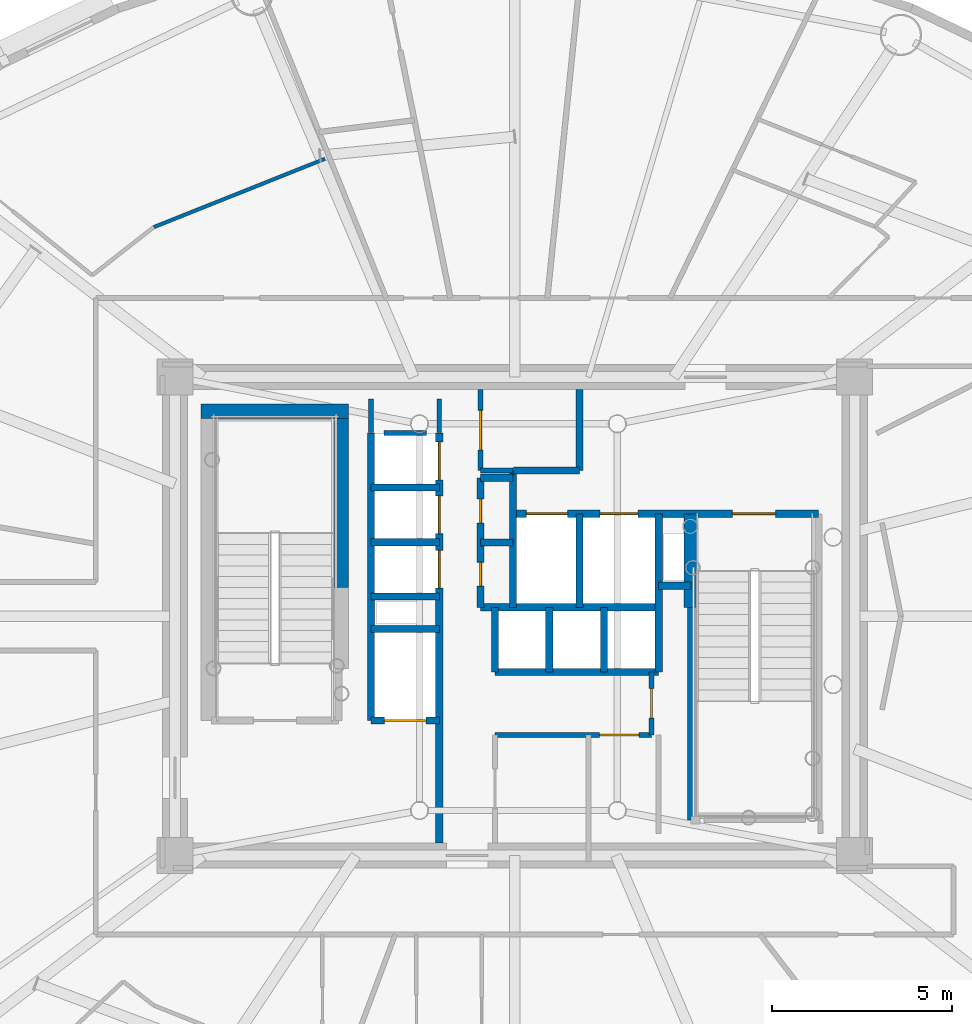
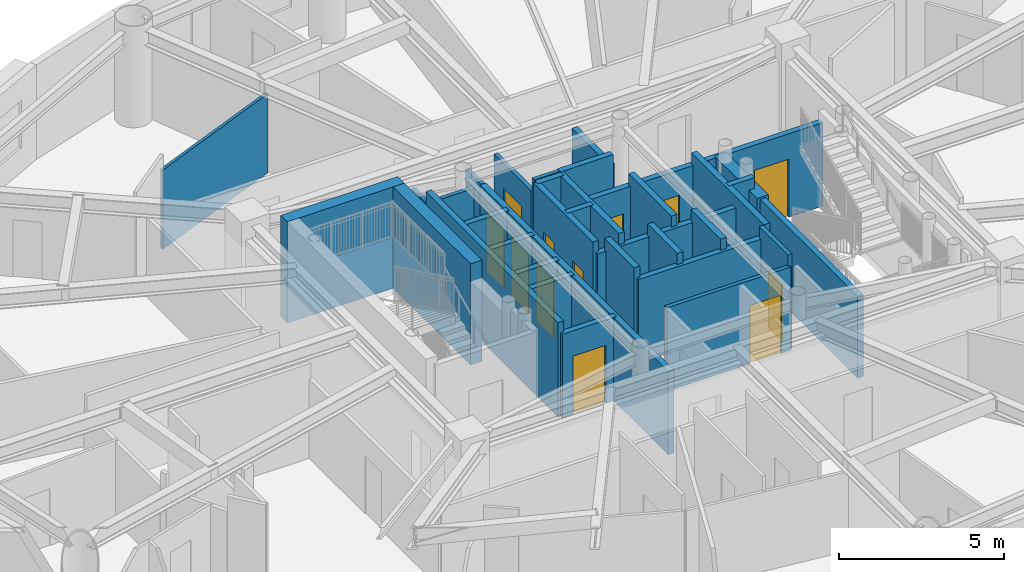
# One storey, part 11 of 21: 34 walls, 12 doors, 12 openings.
"""IFC4 building model written with IfcOpenShell, lengths in metres."""

from ifc_helpers import new_model, si_unit, direction, frame, frame_2d, origin, origin_2d, place, context, subcontext, project, spatial, rectangle, extrude, source, transform, mapped, material, layer, layer_set, type_object, element, fill, save


model = new_model("IFC4")

# Units and contexts
model_context = context("Model", 3, precision=1e-05, world=origin(), true_north=direction((0.0, 1.0)))
body_context = subcontext(model_context, "Body", "Model", "MODEL_VIEW")
ifc_project = project(units=[si_unit("LENGTHUNIT", "METRE"), si_unit("AREAUNIT", "SQUARE_METRE"), si_unit("VOLUMEUNIT", "CUBIC_METRE"), si_unit("PLANEANGLEUNIT", "RADIAN"), si_unit("MASSUNIT", "GRAM", prefix="KILO")], contexts=[model_context])

# Site, building, storey
site_placement = place(None, origin())
site = spatial("IfcSite", under=ifc_project, at=site_placement, CompositionType="ELEMENT")
building_placement = place(site_placement, origin())
building = spatial("IfcBuilding", under=site, at=building_placement, Name="Linh Dai School and Residence Tower", CompositionType="ELEMENT")
storey_placement = place(building_placement, frame((0.0, 0.0, 229.050048828125)))
storey = spatial("IfcBuildingStorey", under=building, at=storey_placement, Name="L56", CompositionType="ELEMENT", Elevation=229.050048828125)

# Wall, opening, door
ifc_material_1 = material(Name="Autoclaved Aerated Concrete Blockwork", Category="masonry")
ifc_layer_1 = layer(ifc_material_1, 0.135009765625)
ifc_layer_set_1 = layer_set([ifc_layer_1], Name="Autoclaved Aerated Concrete Blockwork")
wall_type_1 = type_object("IfcWallType", Name="IW-CORR-135-EI90", PredefinedType="PARTITIONING", material=ifc_layer_set_1)
wall_1_placement = place(storey_placement, frame((35.050048828125, 31.050048828125, 0.0), z_axis=(0.0, 0.0, 1.0), x_axis=(0.0, 1.0, 0.0)))
wall_1 = element("IfcWall", 1, at=wall_1_placement, inside=storey, type_object=wall_type_1, Name="L56 Interior Partition Wall 045", PredefinedType="PARTITIONING", context=body_context, shape_type="SweptSolid", body=[
    extrude(rectangle(XDim=2.25, YDim=0.135009765625, at=frame_2d((1.125, 0.0))), origin(), (0.0, 0.0, 1.0), 3.0849609375),
])
opening_1_placement = place(wall_1_placement, frame((0.574951171875, 0.0, 0.0)))
opening_1 = element("IfcOpeningElement", 2, at=opening_1_placement, cuts=wall_1, Name="Opening D07", PredefinedType="OPENING", context=body_context, shape_type="SweptSolid", body=[
    extrude(rectangle(XDim=1.10009765625, YDim=2.14990234375, at=origin_2d()), frame((0.550048828125, 0.07763671875, 1.074951171875), z_axis=(0.0, -1.0, 0.0), x_axis=(1.0, 0.0, 0.0)), (0.0, 0.0, 1.0), 0.155029296875),
])
ifc_material_2 = material(Name="Fire-Rated Louvred Steel Plant Door", Category="steel")
door_type_1 = type_object("IfcDoorType", Name="DR-PLT-1100x2150-FD60S", OperationType="NOTDEFINED", PredefinedType="DOOR", material=ifc_material_2)
shared_shape_1 = source(origin(), body_context, "Body", "SweptSolid", [
    extrude(rectangle(XDim=1.10009765625, YDim=2.14990234375, at=origin_2d()), frame((0.550048828125, 0.02490234375, 1.074951171875), z_axis=(0.0, -1.0, 0.0), x_axis=(1.0, 0.0, 0.0)), (0.0, 0.0, 1.0), 0.050048828125),
])
door_1_placement = place(opening_1_placement, origin())
door_1 = element("IfcDoor", 3, at=door_1_placement, inside=storey, type_object=door_type_1, Name="L56 North BMS Switchroom Door", OperationType="SINGLE_SWING_LEFT", OverallHeight=2.14990234375, OverallWidth=1.10009765625, PredefinedType="DOOR", context=body_context, shape_type="MappedRepresentation", body=[
    mapped(shared_shape_1, transform((0.0, 0.0, 0.0), x_axis=(1.0, 0.0, 0.0), y_axis=(0.0, 1.0, 0.0), z_axis=(0.0, 0.0, 1.0), scale=1.0)),
])
fill(opening_1, door_1)

# Wall
wall_2_placement = place(storey_placement, frame((35.050048828125, 31.050048828125, 0.0), z_axis=(0.0, 0.0, 1.0), x_axis=(1.0, 0.0, 0.0)))
element("IfcWall", 4, at=wall_2_placement, inside=storey, type_object=wall_type_1, Name="L56 Interior Partition Wall 046", PredefinedType="PARTITIONING", context=body_context, shape_type="SweptSolid", body=[
    extrude(rectangle(XDim=0.89990234375, YDim=0.135009765625, at=frame_2d((0.449951171875, 0.0))), origin(), (0.0, 0.0, 1.0), 3.5),
])

# Wall, opening, door
wall_3_placement = place(storey_placement, frame((35.449951171875, 23.699951171875, 0.0), z_axis=(0.0, 0.0, 1.0), x_axis=(1.0, 0.0, 0.0)))
wall_3 = element("IfcWall", 5, at=wall_3_placement, inside=storey, type_object=wall_type_1, Name="L56 Interior Partition Wall 049", PredefinedType="PARTITIONING", context=body_context, shape_type="SweptSolid", body=[
    extrude(rectangle(XDim=4.35009765625, YDim=0.135009765625, at=frame_2d((2.175048828125, 0.0))), origin(), (0.0, 0.0, 1.0), 3.0849609375),
])
opening_2_placement = place(wall_3_placement, frame((2.905029296875, 0.0, 0.0)))
opening_2 = element("IfcOpeningElement", 6, at=opening_2_placement, cuts=wall_3, Name="Opening D07", PredefinedType="OPENING", context=body_context, shape_type="SweptSolid", body=[
    extrude(rectangle(XDim=1.10009765625, YDim=2.14990234375, at=origin_2d()), frame((0.550048828125, 0.07763671875, 1.074951171875), z_axis=(0.0, -1.0, 0.0), x_axis=(1.0, 0.0, 0.0)), (0.0, 0.0, 1.0), 0.155029296875),
])
door_2_placement = place(opening_2_placement, origin())
door_2 = element("IfcDoor", 7, at=door_2_placement, inside=storey, type_object=door_type_1, Name="L56 Telecom Node Room Door", OperationType="SINGLE_SWING_RIGHT", OverallHeight=2.14990234375, OverallWidth=1.10009765625, PredefinedType="DOOR", context=body_context, shape_type="MappedRepresentation", body=[
    mapped(shared_shape_1, transform((0.0, 0.0, 0.0), x_axis=(1.0, 0.0, 0.0), y_axis=(0.0, 1.0, 0.0), z_axis=(0.0, 0.0, 1.0), scale=1.0)),
])
fill(opening_2, door_2)

wall_4_placement = place(storey_placement, frame((39.800048828125, 23.699951171875, 0.0), z_axis=(0.0, 0.0, 1.0), x_axis=(0.0, 1.0, 0.0)))
wall_4 = element("IfcWall", 8, at=wall_4_placement, inside=storey, type_object=wall_type_1, Name="L56 Interior Partition Wall 063", PredefinedType="PARTITIONING", context=body_context, shape_type="SweptSolid", body=[
    extrude(rectangle(XDim=1.75, YDim=0.135009765625, at=frame_2d((0.875, 0.0))), origin(), (0.0, 0.0, 1.0), 3.5),
])
opening_3_placement = place(wall_4_placement, frame((0.465087890625, 0.0, 0.0)))
opening_3 = element("IfcOpeningElement", 9, at=opening_3_placement, cuts=wall_4, Name="Opening D06", PredefinedType="OPENING", context=body_context, shape_type="SweptSolid", body=[
    extrude(rectangle(XDim=0.820068359375, YDim=2.10009765625, at=origin_2d()), frame((0.41015625, 0.07763671875, 1.050048828125), z_axis=(0.0, -1.0, 0.0), x_axis=(1.0, 0.0, 0.0)), (0.0, 0.0, 1.0), 0.155029296875),
])
ifc_material_3 = material(Name="Moisture-Resistant Timber Bathroom Door", Category="wood")
door_type_2 = type_object("IfcDoorType", Name="DR-WET-820x2100", OperationType="NOTDEFINED", PredefinedType="DOOR", material=ifc_material_3)
shared_shape_2 = source(origin(), body_context, "Body", "SweptSolid", [
    extrude(rectangle(XDim=0.820068359375, YDim=2.10009765625, at=origin_2d()), frame((0.41015625, 0.02490234375, 1.050048828125), z_axis=(0.0, -1.0, 0.0), x_axis=(1.0, 0.0, 0.0)), (0.0, 0.0, 1.0), 0.050048828125),
])
door_3_placement = place(opening_3_placement, origin())
door_3 = element("IfcDoor", 10, at=door_3_placement, inside=storey, type_object=door_type_2, Name="L56 East Linen Store Door", OperationType="SINGLE_SWING_RIGHT", OverallHeight=2.10009765625, OverallWidth=0.820068359375, PredefinedType="DOOR", context=body_context, shape_type="MappedRepresentation", body=[
    mapped(shared_shape_2, transform((0.0, 0.0, 0.0), x_axis=(1.0, 0.0, 0.0), y_axis=(0.0, 1.0, 0.0), z_axis=(0.0, 0.0, 1.0), scale=1.0)),
])
fill(opening_3, door_3)

# Walls
wall_5_placement = place(storey_placement, frame((32.360107421875, 32.10009765625, 0.0), z_axis=(0.0, 0.0, 1.0), x_axis=(1.0, 0.0, 0.0)))
element("IfcWall", 11, at=wall_5_placement, inside=storey, type_object=wall_type_1, Name="L56 Interior Partition Wall 094", PredefinedType="PARTITIONING", context=body_context, shape_type="SweptSolid", body=[
    extrude(rectangle(XDim=1.179931640625, YDim=0.135009765625, at=frame_2d((0.58984375, 0.0))), origin(), (0.0, 0.0, 1.0), 3.0849609375),
])
wall_6_placement = place(storey_placement, frame((32.0, 33.0400390625, 0.0), z_axis=(0.0, 0.0, 1.0), x_axis=(0.0, -1.0, 0.0)))
element("IfcWall", 12, at=wall_6_placement, inside=storey, type_object=wall_type_1, Name="L56 Interior Partition Wall 096", PredefinedType="PARTITIONING", context=body_context, shape_type="SweptSolid", body=[
    extrude(rectangle(XDim=0.929931640625, YDim=0.135009765625, at=frame_2d((0.46484375, 0.0))), origin(), (0.0, 0.0, 1.0), 3.034912109375),
])
wall_7_placement = place(storey_placement, frame((33.89990234375, 32.110107421875, 0.0), z_axis=(0.0, 0.0, 1.0), x_axis=(0.0, 1.0, 0.0)))
element("IfcWall", 13, at=wall_7_placement, inside=storey, type_object=wall_type_1, Name="L56 Interior Partition Wall 098", PredefinedType="PARTITIONING", context=body_context, shape_type="SweptSolid", body=[
    extrude(rectangle(XDim=0.929931640625, YDim=0.135009765625, at=frame_2d((0.46484375, 0.0))), origin(), (0.0, 0.0, 1.0), 3.0849609375),
])
ifc_material_4 = material(Name="Concrete B45 (C35/45)", Category="concrete")
ifc_layer_2 = layer(ifc_material_4, 0.199951171875)
ifc_layer_set_2 = layer_set([ifc_layer_2], Name="Concrete B45 (C35/45)")
wall_type_2 = type_object("IfcWallType", Name="IW-SHAFT-200-EI120", PredefinedType="PARTITIONING", material=ifc_layer_set_2)
wall_8_placement = place(storey_placement, frame((32.0, 24.10009765625, 0.0), z_axis=(0.0, 0.0, 1.0), x_axis=(0.0, 1.0, 0.0)))
element("IfcWall", 14, at=wall_8_placement, inside=storey, type_object=wall_type_2, Name="L56 Interior Partition Wall 032", PredefinedType="PARTITIONING", context=body_context, shape_type="SweptSolid", body=[
    extrude(rectangle(XDim=8.0, YDim=0.199951171875, at=frame_2d((4.0, 0.0))), origin(), (0.0, 0.0, 1.0), 3.5),
])

# Wall, opening, door
wall_9_placement = place(storey_placement, frame((32.0, 24.10009765625, 0.0), z_axis=(0.0, 0.0, 1.0), x_axis=(1.0, 0.0, 0.0)))
wall_9 = element("IfcWall", 15, at=wall_9_placement, inside=storey, type_object=wall_type_2, Name="L56 Interior Partition Wall 033", PredefinedType="PARTITIONING", context=body_context, shape_type="SweptSolid", body=[
    extrude(rectangle(XDim=1.89990234375, YDim=0.199951171875, at=frame_2d((0.949951171875, 0.0))), origin(), (0.0, 0.0, 1.0), 3.0849609375),
])
opening_4_placement = place(wall_9_placement, frame((0.375, 0.0, 0.0)))
opening_4 = element("IfcOpeningElement", 16, at=opening_4_placement, cuts=wall_9, Name="Opening LD-FF2", PredefinedType="OPENING", context=body_context, shape_type="SweptSolid", body=[
    extrude(rectangle(XDim=1.14990234375, YDim=2.14990234375, at=origin_2d()), frame((0.574951171875, 0.10986328125, 1.074951171875), z_axis=(0.0, -1.0, 0.0), x_axis=(1.0, 0.0, 0.0)), (0.0, 0.0, 1.0), 0.219970703125),
])
ifc_material_5 = material(Name="Fire-Rated Stainless Steel Firefighting Lift Door", Category="steel")
door_type_3 = type_object("IfcDoorType", Name="DR-LD-FF-1150x2150-FD120", OperationType="DOUBLE_DOOR_SLIDING", PredefinedType="USERDEFINED", material=ifc_material_5)
shared_shape_3 = source(origin(), body_context, "Body", "SweptSolid", [
    extrude(rectangle(XDim=1.14990234375, YDim=2.14990234375, at=origin_2d()), frame((0.574951171875, 0.02490234375, 1.074951171875), z_axis=(0.0, -1.0, 0.0), x_axis=(1.0, 0.0, 0.0)), (0.0, 0.0, 1.0), 0.050048828125),
])
door_4_placement = place(opening_4_placement, origin())
door_4 = element("IfcDoor", 17, at=door_4_placement, inside=storey, type_object=door_type_3, Name="L56 Lift FF2 Sliding Landing Door", ObjectType="LANDING DOOR", OperationType="DOUBLE_DOOR_SLIDING", OverallHeight=2.14990234375, OverallWidth=1.14990234375, PredefinedType="USERDEFINED", context=body_context, shape_type="MappedRepresentation", body=[
    mapped(shared_shape_3, transform((0.0, 0.0, 0.0), x_axis=(1.0, 0.0, 0.0), y_axis=(0.0, 1.0, 0.0), z_axis=(0.0, 0.0, 1.0), scale=1.0)),
])
fill(opening_4, door_4)

# Walls
for number, where, z_axis, x_axis, name in (
    (18, (32.0, 26.64990234375, 0.0), (0.0, 0.0, 1.0), (1.0, 0.0, 0.0), "L56 Interior Partition Wall 034"),
    (19, (32.0, 27.550048828125, 0.0), (0.0, 0.0, 1.0), (1.0, 0.0, 0.0), "L56 Interior Partition Wall 035"),
    (20, (32.0, 29.06005859375, 0.0), (0.0, 0.0, 1.0), (1.0, 0.0, 0.0), "L56 Interior Partition Wall 036"),
    (21, (32.0, 30.580078125, 0.0), (0.0, 0.0, 1.0), (1.0, 0.0, 0.0), "L56 Interior Partition Wall 037"),
):
    element("IfcWall", number, at=place(storey_placement, frame(where, z_axis=z_axis, x_axis=x_axis)), inside=storey, type_object=wall_type_2, Name=name, PredefinedType="PARTITIONING", context=body_context, shape_type="SweptSolid", body=[
        extrude(rectangle(XDim=1.89990234375, YDim=0.199951171875, at=frame_2d((0.949951171875, 0.0))), origin(), (0.0, 0.0, 1.0), 3.0849609375),
    ])

# Wall, openings, doors
wall_10_placement = place(storey_placement, frame((33.89990234375, 20.699951171875, 0.0), z_axis=(0.0, 0.0, 1.0), x_axis=(0.0, 1.0, 0.0)))
wall_10 = element("IfcWall", 22, at=wall_10_placement, inside=storey, type_object=wall_type_2, Name="L56 Interior Partition Wall 040", PredefinedType="PARTITIONING", context=body_context, shape_type="SweptSolid", body=[
    extrude(rectangle(XDim=11.400146484375, YDim=0.199951171875, at=frame_2d((5.7001953125, 0.0))), origin(), (0.0, 0.0, 1.0), 3.0849609375),
])
opening_5_placement = place(wall_10_placement, frame((7.080078125, 0.0, 0.0)))
opening_5 = element("IfcOpeningElement", 23, at=opening_5_placement, cuts=wall_10, Name="Opening LD-PL4", PredefinedType="OPENING", context=body_context, shape_type="SweptSolid", body=[
    extrude(rectangle(XDim=1.050048828125, YDim=2.14990234375, at=origin_2d()), frame((0.52490234375, 0.10986328125, 1.074951171875), z_axis=(0.0, -1.0, 0.0), x_axis=(1.0, 0.0, 0.0)), (0.0, 0.0, 1.0), 0.219970703125),
])
opening_6_placement = place(wall_10_placement, frame((8.594970703125, 0.0, 0.0)))
opening_6 = element("IfcOpeningElement", 24, at=opening_6_placement, cuts=wall_10, Name="Opening LD-PL5", PredefinedType="OPENING", context=body_context, shape_type="SweptSolid", body=[
    extrude(rectangle(XDim=1.050048828125, YDim=2.14990234375, at=origin_2d()), frame((0.52490234375, 0.10986328125, 1.074951171875), z_axis=(0.0, -1.0, 0.0), x_axis=(1.0, 0.0, 0.0)), (0.0, 0.0, 1.0), 0.219970703125),
])
opening_7_placement = place(wall_10_placement, frame((10.094970703125, 0.0, 0.0)))
opening_7 = element("IfcOpeningElement", 25, at=opening_7_placement, cuts=wall_10, Name="Opening LD-PL6", PredefinedType="OPENING", context=body_context, shape_type="SweptSolid", body=[
    extrude(rectangle(XDim=1.050048828125, YDim=2.14990234375, at=origin_2d()), frame((0.52490234375, 0.10986328125, 1.074951171875), z_axis=(0.0, -1.0, 0.0), x_axis=(1.0, 0.0, 0.0)), (0.0, 0.0, 1.0), 0.219970703125),
])
ifc_material_6 = material(Name="Brushed Stainless Steel Lift Landing Door", Category="steel")
door_type_4 = type_object("IfcDoorType", Name="DR-LD-PASS-1050x2150", OperationType="DOUBLE_DOOR_SLIDING", PredefinedType="USERDEFINED", material=ifc_material_6)
shared_shape_4 = source(origin(), body_context, "Body", "SweptSolid", [
    extrude(rectangle(XDim=1.050048828125, YDim=2.14990234375, at=origin_2d()), frame((0.52490234375, 0.02490234375, 1.074951171875), z_axis=(0.0, -1.0, 0.0), x_axis=(1.0, 0.0, 0.0)), (0.0, 0.0, 1.0), 0.050048828125),
])
door_5_placement = place(opening_5_placement, origin())
door_5 = element("IfcDoor", 26, at=door_5_placement, inside=storey, type_object=door_type_4, Name="L56 Lift PL4 Sliding Landing Door", ObjectType="LANDING DOOR", OperationType="DOUBLE_DOOR_SLIDING", OverallHeight=2.14990234375, OverallWidth=1.050048828125, PredefinedType="USERDEFINED", context=body_context, shape_type="MappedRepresentation", body=[
    mapped(shared_shape_4, transform((0.0, 0.0, 0.0), x_axis=(1.0, 0.0, 0.0), y_axis=(0.0, 1.0, 0.0), z_axis=(0.0, 0.0, 1.0), scale=1.0)),
])
fill(opening_5, door_5)
door_6_placement = place(opening_6_placement, origin())
door_6 = element("IfcDoor", 27, at=door_6_placement, inside=storey, type_object=door_type_4, Name="L56 Lift PL5 Sliding Landing Door", ObjectType="LANDING DOOR", OperationType="DOUBLE_DOOR_SLIDING", OverallHeight=2.14990234375, OverallWidth=1.050048828125, PredefinedType="USERDEFINED", context=body_context, shape_type="MappedRepresentation", body=[
    mapped(shared_shape_4, transform((0.0, 0.0, 0.0), x_axis=(1.0, 0.0, 0.0), y_axis=(0.0, 1.0, 0.0), z_axis=(0.0, 0.0, 1.0), scale=1.0)),
])
fill(opening_6, door_6)
door_7_placement = place(opening_7_placement, origin())
door_7 = element("IfcDoor", 28, at=door_7_placement, inside=storey, type_object=door_type_4, Name="L56 Lift PL6 Sliding Landing Door", ObjectType="LANDING DOOR", OperationType="DOUBLE_DOOR_SLIDING", OverallHeight=2.14990234375, OverallWidth=1.050048828125, PredefinedType="USERDEFINED", context=body_context, shape_type="MappedRepresentation", body=[
    mapped(shared_shape_4, transform((0.0, 0.0, 0.0), x_axis=(1.0, 0.0, 0.0), y_axis=(0.0, 1.0, 0.0), z_axis=(0.0, 0.0, 1.0), scale=1.0)),
])
fill(opening_7, door_7)

wall_11_placement = place(storey_placement, frame((35.050048828125, 27.25, 0.0), z_axis=(0.0, 0.0, 1.0), x_axis=(0.0, 1.0, 0.0)))
wall_11 = element("IfcWall", 29, at=wall_11_placement, inside=storey, type_object=wall_type_2, Name="L56 Interior Partition Wall 041", PredefinedType="PARTITIONING", context=body_context, shape_type="SweptSolid", body=[
    extrude(rectangle(XDim=3.60009765625, YDim=0.199951171875, at=frame_2d((1.800048828125, 0.0))), origin(), (0.0, 0.0, 1.0), 3.5),
])
opening_8_placement = place(wall_11_placement, frame((0.590087890625, 0.0, 0.0)))
opening_8 = element("IfcOpeningElement", 30, at=opening_8_placement, cuts=wall_11, Name="Opening AD1", PredefinedType="OPENING", context=body_context, shape_type="SweptSolid", body=[
    extrude(rectangle(XDim=0.659912109375, YDim=2.050048828125, at=origin_2d()), frame((0.330078125, 0.10986328125, 1.02490234375), z_axis=(0.0, -1.0, 0.0), x_axis=(1.0, 0.0, 0.0)), (0.0, 0.0, 1.0), 0.219970703125),
])
opening_9_placement = place(wall_11_placement, frame((2.35009765625, 0.0, 0.0)))
opening_9 = element("IfcOpeningElement", 31, at=opening_9_placement, cuts=wall_11, Name="Opening AD1", PredefinedType="OPENING", context=body_context, shape_type="SweptSolid", body=[
    extrude(rectangle(XDim=0.659912109375, YDim=2.050048828125, at=origin_2d()), frame((0.330078125, 0.10986328125, 1.02490234375), z_axis=(0.0, -1.0, 0.0), x_axis=(1.0, 0.0, 0.0)), (0.0, 0.0, 1.0), 0.219970703125),
])
ifc_material_7 = material(Name="Fire-Rated Steel Riser Access Door", Category="steel")
door_type_5 = type_object("IfcDoorType", Name="DR-ACC-660x2050-FD90S", OperationType="NOTDEFINED", PredefinedType="USERDEFINED", material=ifc_material_7)
shared_shape_5 = source(origin(), body_context, "Body", "SweptSolid", [
    extrude(rectangle(XDim=0.659912109375, YDim=2.050048828125, at=origin_2d()), frame((0.330078125, 0.02490234375, 1.02490234375), z_axis=(0.0, -1.0, 0.0), x_axis=(1.0, 0.0, 0.0)), (0.0, 0.0, 1.0), 0.050048828125),
])
door_8_placement = place(opening_8_placement, origin())
door_8 = element("IfcDoor", 32, at=door_8_placement, inside=storey, type_object=door_type_5, Name="L56 Telecom and Data Riser Access Door", ObjectType="ACCESS DOOR", OperationType="SINGLE_SWING_LEFT", OverallHeight=2.050048828125, OverallWidth=0.659912109375, PredefinedType="USERDEFINED", context=body_context, shape_type="MappedRepresentation", body=[
    mapped(shared_shape_5, transform((0.0, 0.0, 0.0), x_axis=(1.0, 0.0, 0.0), y_axis=(0.0, 1.0, 0.0), z_axis=(0.0, 0.0, 1.0), scale=1.0)),
])
fill(opening_8, door_8)
door_9_placement = place(opening_9_placement, origin())
door_9 = element("IfcDoor", 33, at=door_9_placement, inside=storey, type_object=door_type_5, Name="L56 Mechanical and Plumbing Riser Access Door", ObjectType="ACCESS DOOR", OperationType="SINGLE_SWING_RIGHT", OverallHeight=2.050048828125, OverallWidth=0.659912109375, PredefinedType="USERDEFINED", context=body_context, shape_type="MappedRepresentation", body=[
    mapped(shared_shape_5, transform((0.0, 0.0, 0.0), x_axis=(1.0, 0.0, 0.0), y_axis=(0.0, 1.0, 0.0), z_axis=(0.0, 0.0, 1.0), scale=1.0)),
])
fill(opening_9, door_9)

# Walls
wall_12_placement = place(storey_placement, frame((35.050048828125, 27.25, 0.0), z_axis=(0.0, 0.0, 1.0), x_axis=(1.0, 0.0, 0.0)))
element("IfcWall", 34, at=wall_12_placement, inside=storey, type_object=wall_type_2, Name="L56 Interior Partition Wall 042", PredefinedType="PARTITIONING", context=body_context, shape_type="SweptSolid", body=[
    extrude(rectangle(XDim=4.949951171875, YDim=0.199951171875, at=frame_2d((2.47509765625, 0.0))), origin(), (0.0, 0.0, 1.0), 3.0849609375),
])
for number, where, z_axis, x_axis, name in (
    (35, (35.050048828125, 29.050048828125, 0.0), (0.0, 0.0, 1.0), (1.0, 0.0, 0.0), "L56 Interior Partition Wall 043"),
    (36, (35.050048828125, 30.85009765625, 0.0), (0.0, 0.0, 1.0), (1.0, 0.0, 0.0), "L56 Interior Partition Wall 044"),
):
    element("IfcWall", number, at=place(storey_placement, frame(where, z_axis=z_axis, x_axis=x_axis)), inside=storey, type_object=wall_type_2, Name=name, PredefinedType="PARTITIONING", context=body_context, shape_type="SweptSolid", body=[
        extrude(rectangle(XDim=0.89990234375, YDim=0.199951171875, at=frame_2d((0.449951171875, 0.0))), origin(), (0.0, 0.0, 1.0), 3.5),
    ])
wall_13_placement = place(storey_placement, frame((35.449951171875, 25.449951171875, 0.0), z_axis=(0.0, 0.0, 1.0), x_axis=(0.0, 1.0, 0.0)))
element("IfcWall", 37, at=wall_13_placement, inside=storey, type_object=wall_type_2, Name="L56 Interior Partition Wall 050", PredefinedType="PARTITIONING", context=body_context, shape_type="SweptSolid", body=[
    extrude(rectangle(XDim=1.800048828125, YDim=0.199951171875, at=frame_2d((0.89990234375, 0.0))), origin(), (0.0, 0.0, 1.0), 3.5),
])
wall_14_placement = place(storey_placement, frame((35.449951171875, 25.449951171875, 0.0), z_axis=(0.0, 0.0, 1.0), x_axis=(1.0, 0.0, 0.0)))
element("IfcWall", 38, at=wall_14_placement, inside=storey, type_object=wall_type_2, Name="L56 Interior Partition Wall 051", PredefinedType="PARTITIONING", context=body_context, shape_type="SweptSolid", body=[
    extrude(rectangle(XDim=4.550048828125, YDim=0.199951171875, at=frame_2d((2.27490234375, 0.0))), origin(), (0.0, 0.0, 1.0), 3.0849609375),
])
wall_15_placement = place(storey_placement, frame((35.949951171875, 27.25, 0.0), z_axis=(0.0, 0.0, 1.0), x_axis=(0.0, 1.0, 0.0)))
element("IfcWall", 39, at=wall_15_placement, inside=storey, type_object=wall_type_2, Name="L56 Interior Partition Wall 052", PredefinedType="PARTITIONING", context=body_context, shape_type="SweptSolid", body=[
    extrude(rectangle(XDim=3.800048828125, YDim=0.199951171875, at=frame_2d((1.89990234375, 0.0))), origin(), (0.0, 0.0, 1.0), 3.5),
])

# Wall, openings, doors
wall_16_placement = place(storey_placement, frame((35.949951171875, 29.85009765625, 0.0), z_axis=(0.0, 0.0, 1.0), x_axis=(1.0, 0.0, 0.0)))
wall_16 = element("IfcWall", 40, at=wall_16_placement, inside=storey, type_object=wall_type_2, Name="L56 Interior Partition Wall 053", PredefinedType="PARTITIONING", context=body_context, shape_type="SweptSolid", body=[
    extrude(rectangle(XDim=8.489990234375, YDim=0.199951171875, at=frame_2d((4.2451171875, 0.0))), origin(), (0.0, 0.0, 1.0), 3.0849609375),
])
opening_10_placement = place(wall_16_placement, frame((6.10009765625, 0.0, 0.0)))
opening_10 = element("IfcOpeningElement", 41, at=opening_10_placement, cuts=wall_16, Name="Opening D01", PredefinedType="OPENING", context=body_context, shape_type="SweptSolid", body=[
    extrude(rectangle(XDim=1.199951171875, YDim=2.14990234375, at=origin_2d()), frame((0.60009765625, 0.10986328125, 1.074951171875), z_axis=(0.0, -1.0, 0.0), x_axis=(1.0, 0.0, 0.0)), (0.0, 0.0, 1.0), 0.219970703125),
])
opening_11_placement = place(wall_16_placement, frame((0.3701171875, 0.0, 0.0)))
opening_11 = element("IfcOpeningElement", 42, at=opening_11_placement, cuts=wall_16, Name="Opening LD-FF1", PredefinedType="OPENING", context=body_context, shape_type="SweptSolid", body=[
    extrude(rectangle(XDim=1.14990234375, YDim=2.14990234375, at=origin_2d()), frame((0.574951171875, 0.10986328125, 1.074951171875), z_axis=(0.0, -1.0, 0.0), x_axis=(1.0, 0.0, 0.0)), (0.0, 0.0, 1.0), 0.219970703125),
])
opening_12_placement = place(wall_16_placement, frame((2.425048828125, 0.0, 0.0)))
opening_12 = element("IfcOpeningElement", 43, at=opening_12_placement, cuts=wall_16, Name="Opening LD-SV1", PredefinedType="OPENING", context=body_context, shape_type="SweptSolid", body=[
    extrude(rectangle(XDim=1.050048828125, YDim=2.14990234375, at=origin_2d()), frame((0.52490234375, 0.10986328125, 1.074951171875), z_axis=(0.0, -1.0, 0.0), x_axis=(1.0, 0.0, 0.0)), (0.0, 0.0, 1.0), 0.219970703125),
])
ifc_material_8 = material(Name="Fire-Rated Steel Door Leaf", Category="steel")
door_type_6 = type_object("IfcDoorType", Name="DR-STAIR-1200x2150-FD90S", OperationType="NOTDEFINED", PredefinedType="DOOR", material=ifc_material_8)
shared_shape_6 = source(origin(), body_context, "Body", "SweptSolid", [
    extrude(rectangle(XDim=1.199951171875, YDim=2.14990234375, at=origin_2d()), frame((0.60009765625, 0.02490234375, 1.074951171875), z_axis=(0.0, -1.0, 0.0), x_axis=(1.0, 0.0, 0.0)), (0.0, 0.0, 1.0), 0.050048828125),
])
door_10_placement = place(opening_10_placement, origin())
door_10 = element("IfcDoor", 44, at=door_10_placement, inside=storey, type_object=door_type_6, Name="L56 Core Smokeproof Exit Stair ST2 Door", OperationType="SINGLE_SWING_RIGHT", OverallHeight=2.14990234375, OverallWidth=1.199951171875, PredefinedType="DOOR", context=body_context, shape_type="MappedRepresentation", body=[
    mapped(shared_shape_6, transform((0.0, 0.0, 0.0), x_axis=(1.0, 0.0, 0.0), y_axis=(0.0, 1.0, 0.0), z_axis=(0.0, 0.0, 1.0), scale=1.0)),
])
fill(opening_10, door_10)
door_11_placement = place(opening_11_placement, origin())
door_11 = element("IfcDoor", 45, at=door_11_placement, inside=storey, type_object=door_type_3, Name="L56 Lift FF1 Sliding Landing Door", ObjectType="LANDING DOOR", OperationType="DOUBLE_DOOR_SLIDING", OverallHeight=2.14990234375, OverallWidth=1.14990234375, PredefinedType="USERDEFINED", context=body_context, shape_type="MappedRepresentation", body=[
    mapped(shared_shape_3, transform((0.0, 0.0, 0.0), x_axis=(1.0, 0.0, 0.0), y_axis=(0.0, 1.0, 0.0), z_axis=(0.0, 0.0, 1.0), scale=1.0)),
])
fill(opening_11, door_11)
door_12_placement = place(opening_12_placement, origin())
door_12 = element("IfcDoor", 46, at=door_12_placement, inside=storey, type_object=door_type_4, Name="L56 Lift SV1 Sliding Landing Door", ObjectType="LANDING DOOR", OperationType="DOUBLE_DOOR_SLIDING", OverallHeight=2.14990234375, OverallWidth=1.050048828125, PredefinedType="USERDEFINED", context=body_context, shape_type="MappedRepresentation", body=[
    mapped(shared_shape_4, transform((0.0, 0.0, 0.0), x_axis=(1.0, 0.0, 0.0), y_axis=(0.0, 1.0, 0.0), z_axis=(0.0, 0.0, 1.0), scale=1.0)),
])
fill(opening_12, door_12)

# Walls
wall_17_placement = place(storey_placement, frame((35.9599609375, 31.050048828125, 0.0), z_axis=(0.0, 0.0, 1.0), x_axis=(1.0, 0.0, 0.0)))
element("IfcWall", 47, at=wall_17_placement, inside=storey, type_object=wall_type_2, Name="L56 Interior Partition Wall 054", PredefinedType="PARTITIONING", context=body_context, shape_type="SweptSolid", body=[
    extrude(rectangle(XDim=1.840087890625, YDim=0.199951171875, at=frame_2d((0.919921875, 0.0))), origin(), (0.0, 0.0, 1.0), 3.5),
])
wall_18_placement = place(storey_placement, frame((36.9599609375, 25.449951171875, 0.0), z_axis=(0.0, 0.0, 1.0), x_axis=(0.0, 1.0, 0.0)))
element("IfcWall", 48, at=wall_18_placement, inside=storey, type_object=wall_type_2, Name="L56 Interior Partition Wall 057", PredefinedType="PARTITIONING", context=body_context, shape_type="SweptSolid", body=[
    extrude(rectangle(XDim=1.800048828125, YDim=0.199951171875, at=frame_2d((0.89990234375, 0.0))), origin(), (0.0, 0.0, 1.0), 3.5),
])
wall_19_placement = place(storey_placement, frame((37.800048828125, 27.25, 0.0), z_axis=(0.0, 0.0, 1.0), x_axis=(0.0, 1.0, 0.0)))
element("IfcWall", 49, at=wall_19_placement, inside=storey, type_object=wall_type_2, Name="L56 Interior Partition Wall 058", PredefinedType="PARTITIONING", context=body_context, shape_type="SweptSolid", body=[
    extrude(rectangle(XDim=2.60009765625, YDim=0.199951171875, at=frame_2d((1.300048828125, 0.0))), origin(), (0.0, 0.0, 1.0), 3.5),
])
wall_20_placement = place(storey_placement, frame((37.800048828125, 31.050048828125, 0.0), z_axis=(0.0, 0.0, 1.0), x_axis=(0.0, 1.0, 0.0)))
element("IfcWall", 50, at=wall_20_placement, inside=storey, type_object=wall_type_2, Name="L56 Interior Partition Wall 059", PredefinedType="PARTITIONING", context=body_context, shape_type="SweptSolid", body=[
    extrude(rectangle(XDim=2.25, YDim=0.199951171875, at=frame_2d((1.125, 0.0))), origin(), (0.0, 0.0, 1.0), 3.0849609375),
])
wall_21_placement = place(storey_placement, frame((38.47998046875, 25.449951171875, 0.0), z_axis=(0.0, 0.0, 1.0), x_axis=(0.0, 1.0, 0.0)))
element("IfcWall", 51, at=wall_21_placement, inside=storey, type_object=wall_type_2, Name="L56 Interior Partition Wall 062", PredefinedType="PARTITIONING", context=body_context, shape_type="SweptSolid", body=[
    extrude(rectangle(XDim=1.800048828125, YDim=0.199951171875, at=frame_2d((0.89990234375, 0.0))), origin(), (0.0, 0.0, 1.0), 3.5),
])
wall_22_placement = place(storey_placement, frame((40.0, 25.449951171875, 0.0), z_axis=(0.0, 0.0, 1.0), x_axis=(0.0, 1.0, 0.0)))
element("IfcWall", 52, at=wall_22_placement, inside=storey, type_object=wall_type_2, Name="L56 Interior Partition Wall 064", PredefinedType="PARTITIONING", context=body_context, shape_type="SweptSolid", body=[
    extrude(rectangle(XDim=4.400146484375, YDim=0.199951171875, at=frame_2d((2.2001953125, 0.0))), origin(), (0.0, 0.0, 1.0), 3.5),
])
wall_23_placement = place(storey_placement, frame((40.0, 27.85009765625, 0.0), z_axis=(0.0, 0.0, 1.0), x_axis=(1.0, 0.0, 0.0)))
element("IfcWall", 53, at=wall_23_placement, inside=storey, type_object=wall_type_2, Name="L56 Interior Partition Wall 065", PredefinedType="PARTITIONING", context=body_context, shape_type="SweptSolid", body=[
    extrude(rectangle(XDim=0.89990234375, YDim=0.199951171875, at=frame_2d((0.449951171875, 0.0))), origin(), (0.0, 0.0, 1.0), 3.5),
])
wall_24_placement = place(storey_placement, frame((40.89990234375, 21.330078125, 0.0), z_axis=(0.0, 0.0, 1.0), x_axis=(0.0, 1.0, 0.0)))
element("IfcWall", 54, at=wall_24_placement, inside=storey, type_object=wall_type_2, Name="L56 Interior Partition Wall 067", PredefinedType="PARTITIONING", context=body_context, shape_type="SweptSolid", body=[
    extrude(rectangle(XDim=5.909912109375, YDim=0.199951171875, at=frame_2d((2.955078125, 0.0))), origin(), (0.0, 0.0, 1.0), 3.034912109375),
])
ifc_material_9 = material(Name="Gypsum Plasterboard Acoustic Stud Partition", Category="masonry")
ifc_layer_3 = layer(ifc_material_9, 0.10009765625)
ifc_layer_set_3 = layer_set([ifc_layer_3], Name="Gypsum Plasterboard Acoustic Stud Partition")
wall_type_3 = type_object("IfcWallType", Name="IW-UNIT-100", PredefinedType="PARTITIONING", material=ifc_layer_set_3)
wall_25_placement = place(storey_placement, frame((25.960693359375, 37.8193359375, 0.0), z_axis=(0.0, 0.0, 1.0), x_axis=(0.928801505367, 0.370577608105, 0.0)))
element("IfcWall", 55, at=wall_25_placement, inside=storey, type_object=wall_type_3, Name="L56 Interior Partition Wall 024", PredefinedType="PARTITIONING", context=body_context, shape_type="SweptSolid", body=[
    extrude(rectangle(XDim=5.126220703125, YDim=0.10009765625, at=frame_2d((2.56298828125, 0.0))), origin(), (0.0, 0.0, 1.0), 2.93505859375),
])
ifc_layer_4 = layer(ifc_material_4, 0.39990234375)
ifc_layer_set_4 = layer_set([ifc_layer_4], Name="Concrete B45 (C35/45)")
wall_type_4 = type_object("IfcWallType", Name="WL-CORE400", PredefinedType="SHEAR", material=ifc_layer_set_4)
wall_26_placement = place(storey_placement, frame((31.179931640625, 27.800048828125, 0.0), z_axis=(0.0, 0.0, 1.0), x_axis=(0.0, 1.0, 0.0)))
element("IfcWall", 56, at=wall_26_placement, inside=storey, type_object=wall_type_4, Name="L56 Core Stair ST1 Bearing Wall E", PredefinedType="SHEAR", context=body_context, shape_type="SweptSolid", body=[
    extrude(rectangle(XDim=4.89990234375, YDim=0.39990234375, at=frame_2d((2.449951171875, 0.0))), origin(), (0.0, 0.0, 1.0), 3.75),
])
wall_27_placement = place(storey_placement, frame((27.280029296875, 32.699951171875, 0.0), z_axis=(0.0, 0.0, 1.0), x_axis=(1.0, 0.0, 0.0)))
element("IfcWall", 57, at=wall_27_placement, inside=storey, type_object=wall_type_4, Name="L56 Core Stair ST1 Bearing Wall N", PredefinedType="SHEAR", context=body_context, shape_type="SweptSolid", body=[
    extrude(rectangle(XDim=4.099853515625, YDim=0.39990234375, at=frame_2d((2.0498046875, 0.0))), origin(), (0.0, 0.0, 1.0), 3.75),
])
wall_28_placement = place(storey_placement, frame((40.89990234375, 27.25, 0.0), z_axis=(0.0, 0.0, 1.0), x_axis=(0.0, 1.0, 0.0)))
element("IfcWall", 58, at=wall_28_placement, inside=storey, type_object=wall_type_4, Name="L56 Internal Core Shear Wall IE", PredefinedType="SHEAR", context=body_context, shape_type="SweptSolid", body=[
    extrude(rectangle(XDim=2.60009765625, YDim=0.39990234375, at=frame_2d((1.300048828125, 0.0))), origin(), (0.0, 0.0, 1.0), 3.099853515625),
])

save(model, "model.ifc")
